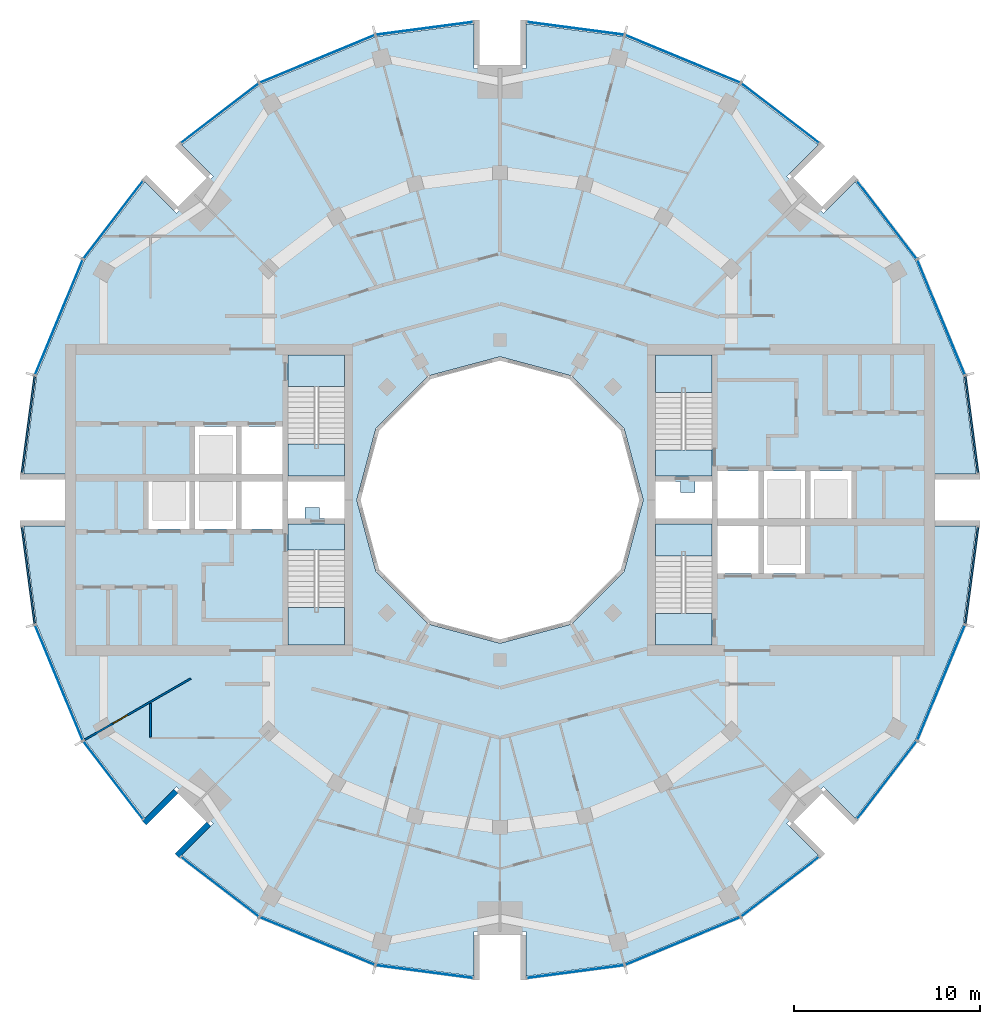
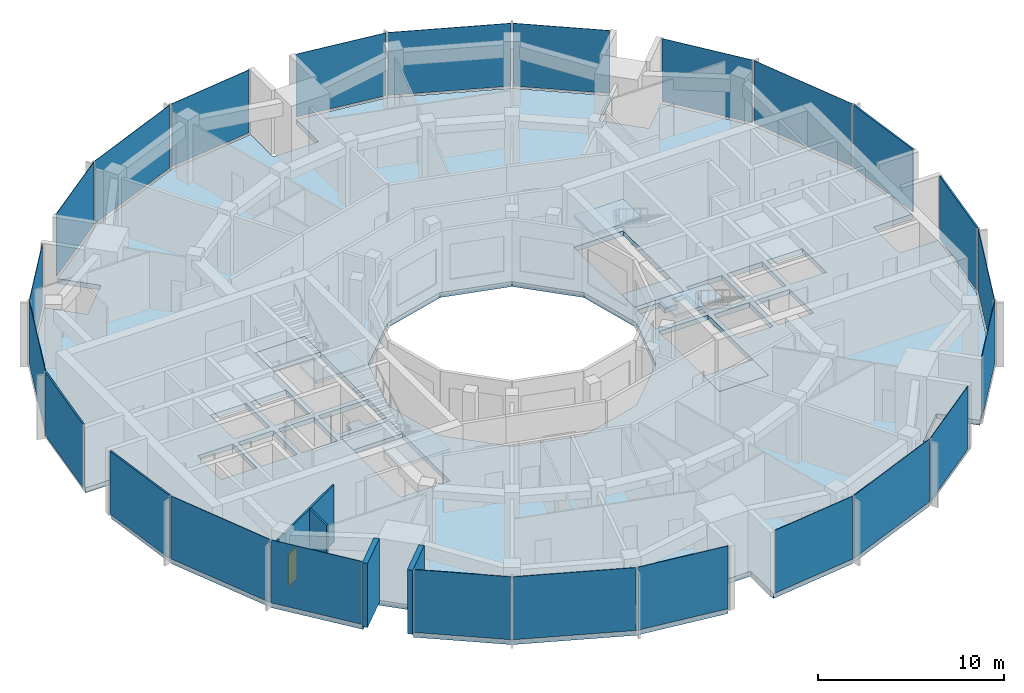
# One storey, part 7 of 15: 24 plates, 9 slabs, 4 walls, 1 door, 1 opening, 28 elements without a shape of their own.
"""IFC4 building model written with IfcOpenShell, lengths in metres."""

from ifc_helpers import new_model, si_unit, direction, frame, frame_2d, origin, origin_2d, place, context, subcontext, project, spatial, polyline, rectangle, outline, extrude, material, layer, layer_set, type_object, element, fill, aggregate, save


model = new_model("IFC4")

# Units and contexts
model_context = context("Model", 3, precision=1e-05, world=origin(), true_north=direction((0.0, 1.0)))
body_context = subcontext(model_context, "Body", "Model", "MODEL_VIEW")
ifc_project = project(units=[si_unit("LENGTHUNIT", "METRE"), si_unit("AREAUNIT", "SQUARE_METRE"), si_unit("VOLUMEUNIT", "CUBIC_METRE"), si_unit("PLANEANGLEUNIT", "RADIAN"), si_unit("MASSUNIT", "GRAM", prefix="KILO")], contexts=[model_context])

# Site, building, storey
site_placement = place(None, origin())
site = spatial("IfcSite", under=ifc_project, at=site_placement, CompositionType="ELEMENT")
building_placement = place(site_placement, origin())
building = spatial("IfcBuilding", under=site, at=building_placement, Name="Torre Brocal", CompositionType="ELEMENT")
storey_placement = place(building_placement, frame((0.0, 0.0, 216.699951171875)))
storey = spatial("IfcBuildingStorey", under=building, at=storey_placement, Name="L50", CompositionType="ELEMENT", Elevation=216.699951171875)

# Curtain wall, plate
ifc_material_1 = material(Name="Aluminium and glass", Category="aluminium")
ifc_layer_1 = layer(ifc_material_1, 0.199951171875)
ifc_layer_set_1 = layer_set([ifc_layer_1], Name="Aluminium and glass")
curtain_wall_type_1 = type_object("IfcCurtainWallType", Name="CW-1 CURTAIN WALL 4200 HIGH", PredefinedType="NOTDEFINED", material=ifc_layer_set_1)
curtain_wall_1_placement = place(storey_placement, origin())
curtain_wall_1 = element("IfcCurtainWall", 1, at=curtain_wall_1_placement, inside=storey, type_object=curtain_wall_type_1, Name="CW-1 RUN 2", PredefinedType="NOTDEFINED")
ifc_material_2 = material(Name="Glass, dark tinted laminated", Category="glass")
ifc_layer_2 = layer(ifc_material_2, 0.031982421875)
ifc_layer_set_2 = layer_set([ifc_layer_2], Name="Glass, dark tinted laminated")
plate_type_1 = type_object("IfcPlateType", Name="CW-1 GLASS PANEL 32", PredefinedType="CURTAIN_PANEL", material=ifc_layer_set_2)
plate_1_placement = place(storey_placement, frame((103.722900390625, 84.826416015625, 0.080078125), z_axis=(0.0, 0.0, 1.0), x_axis=(-0.382683432333, 0.923879532525, 0.0)))
plate_1 = element("IfcPlate", 2, at=plate_1_placement, type_object=plate_type_1, Name="CW1-5 panel 1.1", PredefinedType="CURTAIN_PANEL", context=body_context, shape_type="SweptSolid", body=[
    extrude(rectangle(XDim=6.64111328125, YDim=0.031982421875, at=origin_2d()), origin(), (0.0, 0.0, 1.0), 4.1201171875),
])
aggregate(curtain_wall_1, [plate_1])

curtain_wall_2_placement = place(storey_placement, origin())
curtain_wall_2 = element("IfcCurtainWall", 3, at=curtain_wall_2_placement, inside=storey, type_object=curtain_wall_type_1, Name="CW-1 RUN 3", PredefinedType="NOTDEFINED")
plate_2_placement = place(storey_placement, frame((100.80126953125, 90.0712890625, 0.080078125), z_axis=(0.0, 0.0, 1.0), x_axis=(-0.60876142905, 0.793353340259, 0.0)))
plate_2 = element("IfcPlate", 4, at=plate_2_placement, type_object=plate_type_1, Name="CW1-5 panel 1.1", PredefinedType="CURTAIN_PANEL", context=body_context, shape_type="SweptSolid", body=[
    extrude(rectangle(XDim=5.22900390625, YDim=0.031982421875, at=origin_2d()), origin(), (0.0, 0.0, 1.0), 4.1201171875),
])
aggregate(curtain_wall_2, [plate_2])

curtain_wall_3_placement = place(storey_placement, origin())
curtain_wall_3 = element("IfcCurtainWall", 5, at=curtain_wall_3_placement, inside=storey, type_object=curtain_wall_type_1, Name="CW-1 RUN 4", PredefinedType="NOTDEFINED")
plate_3_placement = place(storey_placement, frame((95.0712890625, 95.80126953125, 0.080078125), z_axis=(0.0, 0.0, 1.0), x_axis=(-0.793353340259, 0.60876142905, 0.0)))
plate_3 = element("IfcPlate", 6, at=plate_3_placement, type_object=plate_type_1, Name="CW1-5 panel 1.1", PredefinedType="CURTAIN_PANEL", context=body_context, shape_type="SweptSolid", body=[
    extrude(rectangle(XDim=5.22900390625, YDim=0.031982421875, at=origin_2d()), origin(), (0.0, 0.0, 1.0), 4.1201171875),
])
aggregate(curtain_wall_3, [plate_3])

curtain_wall_4_placement = place(storey_placement, origin())
curtain_wall_4 = element("IfcCurtainWall", 7, at=curtain_wall_4_placement, inside=storey, type_object=curtain_wall_type_1, Name="CW-1 RUN 5", PredefinedType="NOTDEFINED")
plate_4_placement = place(storey_placement, frame((89.826416015625, 98.722900390625, 0.080078125), z_axis=(0.0, 0.0, 1.0), x_axis=(-0.923879532525, 0.382683432333, 0.0)))
plate_4 = element("IfcPlate", 8, at=plate_4_placement, type_object=plate_type_1, Name="CW1-5 panel 1.1", PredefinedType="CURTAIN_PANEL", context=body_context, shape_type="SweptSolid", body=[
    extrude(rectangle(XDim=6.64111328125, YDim=0.031982421875, at=origin_2d()), origin(), (0.0, 0.0, 1.0), 4.1201171875),
])
aggregate(curtain_wall_4, [plate_4])

curtain_wall_5_placement = place(storey_placement, origin())
curtain_wall_5 = element("IfcCurtainWall", 9, at=curtain_wall_5_placement, inside=storey, type_object=curtain_wall_type_1, Name="CW-1 RUN 6", PredefinedType="NOTDEFINED")
plate_5_placement = place(storey_placement, frame((84.051513671875, 100.36572265625, 0.080078125), z_axis=(0.0, 0.0, 1.0), x_axis=(-0.991444861374, 0.13052619222, 0.0)))
plate_5 = element("IfcPlate", 10, at=plate_5_placement, type_object=plate_type_1, Name="CW1-5 panel 1.1", PredefinedType="CURTAIN_PANEL", context=body_context, shape_type="SweptSolid", body=[
    extrude(rectangle(XDim=5.22900390625, YDim=0.031982421875, at=origin_2d()), origin(), (0.0, 0.0, 1.0), 4.1201171875),
])
aggregate(curtain_wall_5, [plate_5])

curtain_wall_6_placement = place(storey_placement, origin())
curtain_wall_6 = element("IfcCurtainWall", 11, at=curtain_wall_6_placement, inside=storey, type_object=curtain_wall_type_1, Name="CW-1 RUN 7", PredefinedType="NOTDEFINED")
plate_6_placement = place(storey_placement, frame((75.948486328125, 100.36572265625, 0.080078125), z_axis=(0.0, 0.0, 1.0), x_axis=(-0.991444861374, -0.13052619222, 0.0)))
plate_6 = element("IfcPlate", 12, at=plate_6_placement, type_object=plate_type_1, Name="CW1-5 panel 1.1", PredefinedType="CURTAIN_PANEL", context=body_context, shape_type="SweptSolid", body=[
    extrude(rectangle(XDim=5.22900390625, YDim=0.031982421875, at=origin_2d()), origin(), (0.0, 0.0, 1.0), 4.1201171875),
])
aggregate(curtain_wall_6, [plate_6])

curtain_wall_7_placement = place(storey_placement, origin())
curtain_wall_7 = element("IfcCurtainWall", 13, at=curtain_wall_7_placement, inside=storey, type_object=curtain_wall_type_1, Name="CW-1 RUN 8", PredefinedType="NOTDEFINED")
plate_7_placement = place(storey_placement, frame((70.173583984375, 98.722900390625, 0.080078125), z_axis=(0.0, 0.0, 1.0), x_axis=(-0.923879532525, -0.382683432333, 0.0)))
plate_7 = element("IfcPlate", 14, at=plate_7_placement, type_object=plate_type_1, Name="CW1-5 panel 1.1", PredefinedType="CURTAIN_PANEL", context=body_context, shape_type="SweptSolid", body=[
    extrude(rectangle(XDim=6.64111328125, YDim=0.031982421875, at=origin_2d()), origin(), (0.0, 0.0, 1.0), 4.1201171875),
])
aggregate(curtain_wall_7, [plate_7])

curtain_wall_8_placement = place(storey_placement, origin())
curtain_wall_8 = element("IfcCurtainWall", 15, at=curtain_wall_8_placement, inside=storey, type_object=curtain_wall_type_1, Name="CW-1 RUN 9", PredefinedType="NOTDEFINED")
plate_8_placement = place(storey_placement, frame((64.9287109375, 95.80126953125, 0.080078125), z_axis=(0.0, 0.0, 1.0), x_axis=(-0.793353340259, -0.60876142905, 0.0)))
plate_8 = element("IfcPlate", 16, at=plate_8_placement, type_object=plate_type_1, Name="CW1-5 panel 1.1", PredefinedType="CURTAIN_PANEL", context=body_context, shape_type="SweptSolid", body=[
    extrude(rectangle(XDim=5.22900390625, YDim=0.031982421875, at=origin_2d()), origin(), (0.0, 0.0, 1.0), 4.1201171875),
])
aggregate(curtain_wall_8, [plate_8])

curtain_wall_9_placement = place(storey_placement, origin())
curtain_wall_9 = element("IfcCurtainWall", 17, at=curtain_wall_9_placement, inside=storey, type_object=curtain_wall_type_1, Name="CW-1 RUN 10", PredefinedType="NOTDEFINED")
plate_9_placement = place(storey_placement, frame((59.19873046875, 90.0712890625, 0.080078125), z_axis=(0.0, 0.0, 1.0), x_axis=(-0.60876142905, -0.793353340259, 0.0)))
plate_9 = element("IfcPlate", 18, at=plate_9_placement, type_object=plate_type_1, Name="CW1-5 panel 1.1", PredefinedType="CURTAIN_PANEL", context=body_context, shape_type="SweptSolid", body=[
    extrude(rectangle(XDim=5.22900390625, YDim=0.031982421875, at=origin_2d()), origin(), (0.0, 0.0, 1.0), 4.1201171875),
])
aggregate(curtain_wall_9, [plate_9])

curtain_wall_10_placement = place(storey_placement, origin())
curtain_wall_10 = element("IfcCurtainWall", 19, at=curtain_wall_10_placement, inside=storey, type_object=curtain_wall_type_1, Name="CW-1 RUN 11", PredefinedType="NOTDEFINED")
plate_10_placement = place(storey_placement, frame((56.277099609375, 84.826416015625, 0.080078125), z_axis=(0.0, 0.0, 1.0), x_axis=(-0.382683432333, -0.923879532525, 0.0)))
plate_10 = element("IfcPlate", 20, at=plate_10_placement, type_object=plate_type_1, Name="CW1-5 panel 1.1", PredefinedType="CURTAIN_PANEL", context=body_context, shape_type="SweptSolid", body=[
    extrude(rectangle(XDim=6.64111328125, YDim=0.031982421875, at=origin_2d()), origin(), (0.0, 0.0, 1.0), 4.1201171875),
])
aggregate(curtain_wall_10, [plate_10])

curtain_wall_11_placement = place(storey_placement, origin())
curtain_wall_11 = element("IfcCurtainWall", 21, at=curtain_wall_11_placement, inside=storey, type_object=curtain_wall_type_1, Name="CW-1 RUN 14", PredefinedType="NOTDEFINED")
plate_11_placement = place(storey_placement, frame((56.277099609375, 65.173583984375, 0.080078125), z_axis=(0.0, 0.0, 1.0), x_axis=(0.382683432333, -0.923879532525, 0.0)))
plate_11 = element("IfcPlate", 22, at=plate_11_placement, type_object=plate_type_1, Name="CW1-5 panel 1.1", PredefinedType="CURTAIN_PANEL", context=body_context, shape_type="SweptSolid", body=[
    extrude(rectangle(XDim=6.64111328125, YDim=0.031982421875, at=origin_2d()), origin(), (0.0, 0.0, 1.0), 4.1201171875),
])
aggregate(curtain_wall_11, [plate_11])

curtain_wall_12_placement = place(storey_placement, origin())
curtain_wall_12 = element("IfcCurtainWall", 23, at=curtain_wall_12_placement, inside=storey, type_object=curtain_wall_type_1, Name="CW-1 RUN 15", PredefinedType="NOTDEFINED")
plate_12_placement = place(storey_placement, frame((59.19873046875, 59.9287109375, 0.080078125), z_axis=(0.0, 0.0, 1.0), x_axis=(0.60876142905, -0.793353340259, 0.0)))
plate_12 = element("IfcPlate", 24, at=plate_12_placement, type_object=plate_type_1, Name="CW1-5 panel 1.1", PredefinedType="CURTAIN_PANEL", context=body_context, shape_type="SweptSolid", body=[
    extrude(rectangle(XDim=5.22900390625, YDim=0.031982421875, at=origin_2d()), origin(), (0.0, 0.0, 1.0), 4.1201171875),
])
aggregate(curtain_wall_12, [plate_12])

curtain_wall_13_placement = place(storey_placement, origin())
curtain_wall_13 = element("IfcCurtainWall", 25, at=curtain_wall_13_placement, inside=storey, type_object=curtain_wall_type_1, Name="CW-1 RUN 16", PredefinedType="NOTDEFINED")
plate_13_placement = place(storey_placement, frame((64.9287109375, 54.19873046875, 0.080078125), z_axis=(0.0, 0.0, 1.0), x_axis=(0.793353340259, -0.60876142905, 0.0)))
plate_13 = element("IfcPlate", 26, at=plate_13_placement, type_object=plate_type_1, Name="CW1-5 panel 1.1", PredefinedType="CURTAIN_PANEL", context=body_context, shape_type="SweptSolid", body=[
    extrude(rectangle(XDim=5.22900390625, YDim=0.031982421875, at=origin_2d()), origin(), (0.0, 0.0, 1.0), 4.1201171875),
])
aggregate(curtain_wall_13, [plate_13])

curtain_wall_14_placement = place(storey_placement, origin())
curtain_wall_14 = element("IfcCurtainWall", 27, at=curtain_wall_14_placement, inside=storey, type_object=curtain_wall_type_1, Name="CW-1 RUN 17", PredefinedType="NOTDEFINED")
plate_14_placement = place(storey_placement, frame((70.173583984375, 51.277099609375, 0.080078125), z_axis=(0.0, 0.0, 1.0), x_axis=(0.923879532525, -0.382683432333, 0.0)))
plate_14 = element("IfcPlate", 28, at=plate_14_placement, type_object=plate_type_1, Name="CW1-5 panel 1.1", PredefinedType="CURTAIN_PANEL", context=body_context, shape_type="SweptSolid", body=[
    extrude(rectangle(XDim=6.64111328125, YDim=0.031982421875, at=origin_2d()), origin(), (0.0, 0.0, 1.0), 4.1201171875),
])
aggregate(curtain_wall_14, [plate_14])

curtain_wall_15_placement = place(storey_placement, origin())
curtain_wall_15 = element("IfcCurtainWall", 29, at=curtain_wall_15_placement, inside=storey, type_object=curtain_wall_type_1, Name="CW-1 RUN 18", PredefinedType="NOTDEFINED")
plate_15_placement = place(storey_placement, frame((75.948486328125, 49.63427734375, 0.080078125), z_axis=(0.0, 0.0, 1.0), x_axis=(0.991444861374, -0.13052619222, 0.0)))
plate_15 = element("IfcPlate", 30, at=plate_15_placement, type_object=plate_type_1, Name="CW1-5 panel 1.1", PredefinedType="CURTAIN_PANEL", context=body_context, shape_type="SweptSolid", body=[
    extrude(rectangle(XDim=5.22900390625, YDim=0.031982421875, at=origin_2d()), origin(), (0.0, 0.0, 1.0), 4.1201171875),
])
aggregate(curtain_wall_15, [plate_15])

curtain_wall_16_placement = place(storey_placement, origin())
curtain_wall_16 = element("IfcCurtainWall", 31, at=curtain_wall_16_placement, inside=storey, type_object=curtain_wall_type_1, Name="CW-1 RUN 19", PredefinedType="NOTDEFINED")
plate_16_placement = place(storey_placement, frame((84.051513671875, 49.63427734375, 0.080078125), z_axis=(0.0, 0.0, 1.0), x_axis=(0.991444861374, 0.13052619222, 0.0)))
plate_16 = element("IfcPlate", 32, at=plate_16_placement, type_object=plate_type_1, Name="CW1-5 panel 1.1", PredefinedType="CURTAIN_PANEL", context=body_context, shape_type="SweptSolid", body=[
    extrude(rectangle(XDim=5.22900390625, YDim=0.031982421875, at=origin_2d()), origin(), (0.0, 0.0, 1.0), 4.1201171875),
])
aggregate(curtain_wall_16, [plate_16])

curtain_wall_17_placement = place(storey_placement, origin())
curtain_wall_17 = element("IfcCurtainWall", 33, at=curtain_wall_17_placement, inside=storey, type_object=curtain_wall_type_1, Name="CW-1 RUN 20", PredefinedType="NOTDEFINED")
plate_17_placement = place(storey_placement, frame((89.826416015625, 51.277099609375, 0.080078125), z_axis=(0.0, 0.0, 1.0), x_axis=(0.923879532525, 0.382683432333, 0.0)))
plate_17 = element("IfcPlate", 34, at=plate_17_placement, type_object=plate_type_1, Name="CW1-5 panel 1.1", PredefinedType="CURTAIN_PANEL", context=body_context, shape_type="SweptSolid", body=[
    extrude(rectangle(XDim=6.64111328125, YDim=0.031982421875, at=origin_2d()), origin(), (0.0, 0.0, 1.0), 4.1201171875),
])
aggregate(curtain_wall_17, [plate_17])

curtain_wall_18_placement = place(storey_placement, origin())
curtain_wall_18 = element("IfcCurtainWall", 35, at=curtain_wall_18_placement, inside=storey, type_object=curtain_wall_type_1, Name="CW-1 RUN 21", PredefinedType="NOTDEFINED")
plate_18_placement = place(storey_placement, frame((95.0712890625, 54.19873046875, 0.080078125), z_axis=(0.0, 0.0, 1.0), x_axis=(0.793353340259, 0.60876142905, 0.0)))
plate_18 = element("IfcPlate", 36, at=plate_18_placement, type_object=plate_type_1, Name="CW1-5 panel 1.1", PredefinedType="CURTAIN_PANEL", context=body_context, shape_type="SweptSolid", body=[
    extrude(rectangle(XDim=5.22900390625, YDim=0.031982421875, at=origin_2d()), origin(), (0.0, 0.0, 1.0), 4.1201171875),
])
aggregate(curtain_wall_18, [plate_18])

curtain_wall_19_placement = place(storey_placement, origin())
curtain_wall_19 = element("IfcCurtainWall", 37, at=curtain_wall_19_placement, inside=storey, type_object=curtain_wall_type_1, Name="CW-1 RUN 22", PredefinedType="NOTDEFINED")
plate_19_placement = place(storey_placement, frame((100.80126953125, 59.9287109375, 0.080078125), z_axis=(0.0, 0.0, 1.0), x_axis=(0.60876142905, 0.793353340259, 0.0)))
plate_19 = element("IfcPlate", 38, at=plate_19_placement, type_object=plate_type_1, Name="CW1-5 panel 1.1", PredefinedType="CURTAIN_PANEL", context=body_context, shape_type="SweptSolid", body=[
    extrude(rectangle(XDim=5.22900390625, YDim=0.031982421875, at=origin_2d()), origin(), (0.0, 0.0, 1.0), 4.1201171875),
])
aggregate(curtain_wall_19, [plate_19])

curtain_wall_20_placement = place(storey_placement, origin())
curtain_wall_20 = element("IfcCurtainWall", 39, at=curtain_wall_20_placement, inside=storey, type_object=curtain_wall_type_1, Name="CW-1 RUN 23", PredefinedType="NOTDEFINED")
plate_20_placement = place(storey_placement, frame((103.722900390625, 65.173583984375, 0.080078125), z_axis=(0.0, 0.0, 1.0), x_axis=(0.382683432333, 0.923879532525, 0.0)))
plate_20 = element("IfcPlate", 40, at=plate_20_placement, type_object=plate_type_1, Name="CW1-5 panel 1.1", PredefinedType="CURTAIN_PANEL", context=body_context, shape_type="SweptSolid", body=[
    extrude(rectangle(XDim=6.64111328125, YDim=0.031982421875, at=origin_2d()), origin(), (0.0, 0.0, 1.0), 4.1201171875),
])
aggregate(curtain_wall_20, [plate_20])

ifc_material_3 = material(Name="Aluminium and glass", Category="aluminium")
ifc_layer_3 = layer(ifc_material_3, 0.199951171875)
ifc_layer_set_3 = layer_set([ifc_layer_3], Name="Aluminium and glass")
curtain_wall_type_2 = type_object("IfcCurtainWallType", Name="CW-1B CURTAIN WALL 4200 HIGH", PredefinedType="NOTDEFINED", material=ifc_layer_set_3)
curtain_wall_21_placement = place(storey_placement, origin())
curtain_wall_21 = element("IfcCurtainWall", 41, at=curtain_wall_21_placement, inside=storey, type_object=curtain_wall_type_2, Name="CW-1B RUN 1", PredefinedType="NOTDEFINED")
ifc_material_4 = material(Name="Aluminium composite panel", Category="aluminium")
ifc_layer_4 = layer(ifc_material_4, 0.10009765625)
ifc_layer_set_4 = layer_set([ifc_layer_4], Name="Aluminium composite panel")
plate_type_2 = type_object("IfcPlateType", Name="CW-1B OPAQUE PANEL 100", PredefinedType="CURTAIN_PANEL", material=ifc_layer_set_4)
plate_21_placement = place(storey_placement, frame((105.36572265625, 79.051513671875, 0.080078125), z_axis=(0.0, 0.0, 1.0), x_axis=(-0.13052619222, 0.991444861374, 0.0)))
plate_21 = element("IfcPlate", 42, at=plate_21_placement, type_object=plate_type_2, Name="CW1B-5 panel 1.1", PredefinedType="CURTAIN_PANEL", context=body_context, shape_type="SweptSolid", body=[
    extrude(rectangle(XDim=5.22900390625, YDim=0.10009765625, at=origin_2d()), origin(), (0.0, 0.0, 1.0), 4.1201171875),
])
aggregate(curtain_wall_21, [plate_21])

curtain_wall_22_placement = place(storey_placement, origin())
curtain_wall_22 = element("IfcCurtainWall", 43, at=curtain_wall_22_placement, inside=storey, type_object=curtain_wall_type_2, Name="CW-1B RUN 12", PredefinedType="NOTDEFINED")
plate_22_placement = place(storey_placement, frame((54.63427734375, 79.051513671875, 0.080078125), z_axis=(0.0, 0.0, 1.0), x_axis=(-0.13052619222, -0.991444861374, 0.0)))
plate_22 = element("IfcPlate", 44, at=plate_22_placement, type_object=plate_type_2, Name="CW1B-5 panel 1.1", PredefinedType="CURTAIN_PANEL", context=body_context, shape_type="SweptSolid", body=[
    extrude(rectangle(XDim=5.22900390625, YDim=0.10009765625, at=origin_2d()), origin(), (0.0, 0.0, 1.0), 4.1201171875),
])
aggregate(curtain_wall_22, [plate_22])

curtain_wall_23_placement = place(storey_placement, origin())
curtain_wall_23 = element("IfcCurtainWall", 45, at=curtain_wall_23_placement, inside=storey, type_object=curtain_wall_type_2, Name="CW-1B RUN 13", PredefinedType="NOTDEFINED")
plate_23_placement = place(storey_placement, frame((54.63427734375, 70.948486328125, 0.080078125), z_axis=(0.0, 0.0, 1.0), x_axis=(0.13052619222, -0.991444861374, 0.0)))
plate_23 = element("IfcPlate", 46, at=plate_23_placement, type_object=plate_type_2, Name="CW1B-5 panel 1.1", PredefinedType="CURTAIN_PANEL", context=body_context, shape_type="SweptSolid", body=[
    extrude(rectangle(XDim=5.22900390625, YDim=0.10009765625, at=origin_2d()), origin(), (0.0, 0.0, 1.0), 4.1201171875),
])
aggregate(curtain_wall_23, [plate_23])

curtain_wall_24_placement = place(storey_placement, origin())
curtain_wall_24 = element("IfcCurtainWall", 47, at=curtain_wall_24_placement, inside=storey, type_object=curtain_wall_type_2, Name="CW-1B RUN 24", PredefinedType="NOTDEFINED")
plate_24_placement = place(storey_placement, frame((105.36572265625, 70.948486328125, 0.080078125), z_axis=(0.0, 0.0, 1.0), x_axis=(0.13052619222, 0.991444861374, 0.0)))
plate_24 = element("IfcPlate", 48, at=plate_24_placement, type_object=plate_type_2, Name="CW1B-5 panel 1.1", PredefinedType="CURTAIN_PANEL", context=body_context, shape_type="SweptSolid", body=[
    extrude(rectangle(XDim=5.22900390625, YDim=0.10009765625, at=origin_2d()), origin(), (0.0, 0.0, 1.0), 4.1201171875),
])
aggregate(curtain_wall_24, [plate_24])

# Stair, slab
ifc_material_5 = material(Name="Concrete C50", Category="concrete")
stair_type = type_object("IfcStairType", Name="EXIT STAIR", PredefinedType="HALF_TURN_STAIR", material=ifc_material_5)
stair_1_placement = place(storey_placement, origin())
stair_1 = element("IfcStair", 49, at=stair_1_placement, inside=storey, type_object=stair_type, Name="EXIT STAIR ST1", PredefinedType="HALF_TURN_STAIR")
ifc_material_6 = material(Name="Concrete C50", Category="concrete")
ifc_layer_5 = layer(ifc_material_6, 0.320068359375)
ifc_layer_set_5 = layer_set([ifc_layer_5], Name="Concrete C50")
slab_type_1 = type_object("IfcSlabType", Name="FLOOR LANDING 320", PredefinedType="LANDING", material=ifc_layer_set_5)
slab_1_placement = place(storey_placement, frame((0.0, 0.0, -0.320068359375)))
slab_1 = element("IfcSlab", 50, at=slab_1_placement, type_object=slab_type_1, Name="ST1 landing 1", PredefinedType="LANDING", context=body_context, shape_type="SweptSolid", body=[
    extrude(outline(polyline([(88.35009765625, 76.300048828125), (91.39990234375, 76.300048828125), (91.39990234375, 77.699951171875), (88.35009765625, 77.699951171875), (88.35009765625, 76.300048828125)])), origin(), (0.0, 0.0, 1.0), 0.320068359375),
])

stair_2_placement = place(storey_placement, origin())
stair_2 = element("IfcStair", 51, at=stair_2_placement, inside=storey, type_object=stair_type, Name="EXIT STAIR ST2", PredefinedType="HALF_TURN_STAIR")
slab_2_placement = place(storey_placement, frame((0.0, 0.0, -0.320068359375)))
slab_2 = element("IfcSlab", 52, at=slab_2_placement, type_object=slab_type_1, Name="ST2 landing 1", PredefinedType="LANDING", context=body_context, shape_type="SweptSolid", body=[
    extrude(outline(polyline([(88.35009765625, 67.199951171875), (91.39990234375, 67.199951171875), (91.39990234375, 68.89990234375), (88.35009765625, 68.89990234375), (88.35009765625, 67.199951171875)])), origin(), (0.0, 0.0, 1.0), 0.320068359375),
])

stair_3_placement = place(storey_placement, origin())
stair_3 = element("IfcStair", 53, at=stair_3_placement, inside=storey, type_object=stair_type, Name="EXIT STAIR ST3", PredefinedType="HALF_TURN_STAIR")
slab_3_placement = place(storey_placement, frame((0.0, 0.0, -0.320068359375)))
slab_3 = element("IfcSlab", 54, at=slab_3_placement, type_object=slab_type_1, Name="ST3 landing 1", PredefinedType="LANDING", context=body_context, shape_type="SweptSolid", body=[
    extrude(outline(polyline([(71.64990234375, 73.699951171875), (68.60009765625, 73.699951171875), (68.60009765625, 72.300048828125), (71.64990234375, 72.300048828125), (71.64990234375, 73.699951171875)])), origin(), (0.0, 0.0, 1.0), 0.320068359375),
])

stair_4_placement = place(storey_placement, origin())
stair_4 = element("IfcStair", 55, at=stair_4_placement, inside=storey, type_object=stair_type, Name="EXIT STAIR ST4", PredefinedType="HALF_TURN_STAIR")
slab_4_placement = place(storey_placement, frame((0.0, 0.0, -0.320068359375)))
slab_4 = element("IfcSlab", 56, at=slab_4_placement, type_object=slab_type_1, Name="ST4 landing 1", PredefinedType="LANDING", context=body_context, shape_type="SweptSolid", body=[
    extrude(outline(polyline([(71.64990234375, 82.800048828125), (68.60009765625, 82.800048828125), (68.60009765625, 81.10009765625), (71.64990234375, 81.10009765625), (71.64990234375, 82.800048828125)])), origin(), (0.0, 0.0, 1.0), 0.320068359375),
])

# Slab
ifc_material_7 = material(Name="Concrete C50", Category="concrete")
ifc_layer_6 = layer(ifc_material_7, 0.199951171875)
ifc_layer_set_6 = layer_set([ifc_layer_6], Name="Concrete C50")
slab_type_2 = type_object("IfcSlabType", Name="MID LANDING +2100", PredefinedType="LANDING", material=ifc_layer_set_6)
slab_5_placement = place(storey_placement, frame((0.0, 0.0, 1.900146484375)))
slab_5 = element("IfcSlab", 57, at=slab_5_placement, type_object=slab_type_2, Name="ST1 landing 2", PredefinedType="LANDING", context=body_context, shape_type="SweptSolid", body=[
    extrude(outline(polyline([(88.35009765625, 80.780029296875), (91.39990234375, 80.780029296875), (91.39990234375, 82.800048828125), (88.35009765625, 82.800048828125), (88.35009765625, 80.780029296875)])), origin(), (0.0, 0.0, 1.0), 0.199951171875),
])

aggregate(stair_1, [slab_1, slab_5])

slab_6_placement = place(storey_placement, frame((0.0, 0.0, 1.900146484375)))
slab_6 = element("IfcSlab", 58, at=slab_6_placement, type_object=slab_type_2, Name="ST2 landing 2", PredefinedType="LANDING", context=body_context, shape_type="SweptSolid", body=[
    extrude(outline(polyline([(88.35009765625, 71.97998046875), (91.39990234375, 71.97998046875), (91.39990234375, 73.699951171875), (88.35009765625, 73.699951171875), (88.35009765625, 71.97998046875)])), origin(), (0.0, 0.0, 1.0), 0.199951171875),
])

aggregate(stair_2, [slab_2, slab_6])

slab_7_placement = place(storey_placement, frame((0.0, 0.0, 1.900146484375)))
slab_7 = element("IfcSlab", 59, at=slab_7_placement, type_object=slab_type_2, Name="ST3 landing 2", PredefinedType="LANDING", context=body_context, shape_type="SweptSolid", body=[
    extrude(outline(polyline([(71.64990234375, 69.219970703125), (68.60009765625, 69.219970703125), (68.60009765625, 67.199951171875), (71.64990234375, 67.199951171875), (71.64990234375, 69.219970703125)])), origin(), (0.0, 0.0, 1.0), 0.199951171875),
])

aggregate(stair_3, [slab_3, slab_7])

slab_8_placement = place(storey_placement, frame((0.0, 0.0, 1.900146484375)))
slab_8 = element("IfcSlab", 60, at=slab_8_placement, type_object=slab_type_2, Name="ST4 landing 2", PredefinedType="LANDING", context=body_context, shape_type="SweptSolid", body=[
    extrude(outline(polyline([(71.64990234375, 78.02001953125), (68.60009765625, 78.02001953125), (68.60009765625, 76.300048828125), (71.64990234375, 76.300048828125), (71.64990234375, 78.02001953125)])), origin(), (0.0, 0.0, 1.0), 0.199951171875),
])

aggregate(stair_4, [slab_4, slab_8])

ifc_material_8 = material(Name="Concrete C45", Category="concrete")
ifc_layer_7 = layer(ifc_material_8, 0.320068359375)
ifc_layer_set_7 = layer_set([ifc_layer_7], Name="Concrete C45")
slab_type_3 = type_object("IfcSlabType", Name="PT FLOOR SLAB 320 C45", PredefinedType="FLOOR", material=ifc_layer_set_7)
slab_9_placement = place(storey_placement, frame((0.0, 0.0, -0.320068359375)))
element("IfcSlab", 61, at=slab_9_placement, inside=storey, type_object=slab_type_3, Name="Slab ST-05", PredefinedType="FLOOR", context=body_context, shape_type="SweptSolid", body=[
    extrude(outline(polyline([(103.199951171875, 76.39990234375), (103.199951171875, 73.60009765625), (105.614013671875, 73.60009765625), (104.919189453125, 68.322998046875), (102.342041015625, 62.100830078125), (99.101806640625, 57.878173828125), (97.394775390625, 59.5849609375), (95.4150390625, 57.605224609375), (97.121826171875, 55.898193359375), (92.899169921875, 52.657958984375), (86.677001953125, 50.080810546875), (81.39990234375, 49.385986328125), (81.39990234375, 51.800048828125), (78.60009765625, 51.800048828125), (78.60009765625, 49.385986328125), (73.322998046875, 50.080810546875), (67.100830078125, 52.657958984375), (62.878173828125, 55.898193359375), (64.5849609375, 57.605224609375), (62.605224609375, 59.5849609375), (60.898193359375, 57.878173828125), (57.657958984375, 62.100830078125), (55.080810546875, 68.322998046875), (54.385986328125, 73.60009765625), (56.800048828125, 73.60009765625), (56.800048828125, 76.39990234375), (54.385986328125, 76.39990234375), (55.080810546875, 81.677001953125), (57.657958984375, 87.899169921875), (60.898193359375, 92.121826171875), (62.605224609375, 90.4150390625), (64.5849609375, 92.394775390625), (62.878173828125, 94.101806640625), (67.100830078125, 97.342041015625), (73.322998046875, 99.919189453125), (78.60009765625, 100.614013671875), (78.60009765625, 98.199951171875), (81.39990234375, 98.199951171875), (81.39990234375, 100.614013671875), (86.677001953125, 99.919189453125), (92.899169921875, 97.342041015625), (97.121826171875, 94.101806640625), (95.4150390625, 92.394775390625), (97.394775390625, 90.4150390625), (99.101806640625, 92.121826171875), (102.342041015625, 87.899169921875), (104.919189453125, 81.677001953125), (105.614013671875, 76.39990234375), (103.199951171875, 76.39990234375)]), holes=[polyline([(98.89990234375, 76.550048828125), (96.699951171875, 76.550048828125), (96.699951171875, 74.0), (98.89990234375, 74.0), (98.89990234375, 76.550048828125)]), polyline([(96.39990234375, 76.550048828125), (94.199951171875, 76.550048828125), (94.199951171875, 74.0), (96.39990234375, 74.0), (96.39990234375, 76.550048828125)]), polyline([(96.39990234375, 73.60009765625), (94.199951171875, 73.60009765625), (94.199951171875, 71.050048828125), (96.39990234375, 71.050048828125), (96.39990234375, 73.60009765625)]), polyline([(93.89990234375, 76.550048828125), (91.699951171875, 76.550048828125), (91.699951171875, 74.0), (93.89990234375, 74.0), (93.89990234375, 76.550048828125)]), polyline([(93.89990234375, 73.60009765625), (91.699951171875, 73.60009765625), (91.699951171875, 71.050048828125), (93.89990234375, 71.050048828125), (93.89990234375, 73.60009765625)]), polyline([(89.699951171875, 76.0), (88.35009765625, 76.0), (88.35009765625, 74.0), (91.39990234375, 74.0), (91.39990234375, 76.0), (90.5, 76.0), (90.5, 75.39990234375), (89.699951171875, 75.39990234375), (89.699951171875, 76.0)]), polyline([(91.39990234375, 82.800048828125), (88.35009765625, 82.800048828125), (88.35009765625, 76.300048828125), (91.39990234375, 76.300048828125), (91.39990234375, 82.800048828125)]), polyline([(91.39990234375, 73.699951171875), (88.35009765625, 73.699951171875), (88.35009765625, 67.199951171875), (91.39990234375, 67.199951171875), (91.39990234375, 73.699951171875)]), polyline([(80.0, 82.70703125), (76.146484375, 81.674560546875), (73.325439453125, 78.853515625), (72.29296875, 75.0), (73.325439453125, 71.146484375), (76.146484375, 68.325439453125), (80.0, 67.29296875), (83.853515625, 68.325439453125), (86.674560546875, 71.146484375), (87.70703125, 75.0), (86.674560546875, 78.853515625), (83.853515625, 81.674560546875), (80.0, 82.70703125)]), polyline([(70.300048828125, 74.0), (71.64990234375, 74.0), (71.64990234375, 76.0), (68.60009765625, 76.0), (68.60009765625, 74.0), (69.5, 74.0), (69.5, 74.60009765625), (70.300048828125, 74.60009765625), (70.300048828125, 74.0)]), polyline([(68.60009765625, 76.300048828125), (71.64990234375, 76.300048828125), (71.64990234375, 82.800048828125), (68.60009765625, 82.800048828125), (68.60009765625, 76.300048828125)]), polyline([(68.60009765625, 67.199951171875), (71.64990234375, 67.199951171875), (71.64990234375, 73.699951171875), (68.60009765625, 73.699951171875), (68.60009765625, 67.199951171875)]), polyline([(66.10009765625, 76.39990234375), (68.300048828125, 76.39990234375), (68.300048828125, 78.949951171875), (66.10009765625, 78.949951171875), (66.10009765625, 76.39990234375)]), polyline([(66.10009765625, 73.449951171875), (68.300048828125, 73.449951171875), (68.300048828125, 76.0), (66.10009765625, 76.0), (66.10009765625, 73.449951171875)]), polyline([(63.60009765625, 76.39990234375), (65.800048828125, 76.39990234375), (65.800048828125, 78.949951171875), (63.60009765625, 78.949951171875), (63.60009765625, 76.39990234375)]), polyline([(63.60009765625, 73.449951171875), (65.800048828125, 73.449951171875), (65.800048828125, 76.0), (63.60009765625, 76.0), (63.60009765625, 73.449951171875)]), polyline([(61.10009765625, 73.449951171875), (63.300048828125, 73.449951171875), (63.300048828125, 76.0), (61.10009765625, 76.0), (61.10009765625, 73.449951171875)])]), origin(), (0.0, 0.0, 1.0), 0.320068359375),
])

# Walls
ifc_material_9 = material(Name="Concrete C60", Category="concrete")
ifc_layer_8 = layer(ifc_material_9, 0.300048828125)
ifc_layer_set_8 = layer_set([ifc_layer_8], Name="Concrete C60")
wall_type_1 = type_object("IfcWallType", Name="NOTCH RETURN WALL 300 C60", PredefinedType="NOTDEFINED", material=ifc_layer_set_8)
for number, where, z_axis, x_axis, name in (
    (62, (62.56982421875, 59.337646484375, 0.0), (0.0, 0.0, 1.0), (-0.707106781187, -0.707106781187, 0.0), "NOTCH RETURN WALL"),
    (63, (64.337646484375, 57.56982421875, 0.0), (0.0, 0.0, 1.0), (-0.707106781187, -0.707106781187, 0.0), "NOTCH RETURN WALL"),
):
    element("IfcWall", number, at=place(storey_placement, frame(where, z_axis=z_axis, x_axis=x_axis)), inside=storey, type_object=wall_type_1, Name=name, PredefinedType="NOTDEFINED", context=body_context, shape_type="SweptSolid", body=[
        extrude(rectangle(XDim=2.415771484375, YDim=0.300048828125, at=frame_2d((1.2080078125, 0.0))), origin(), (0.0, 0.0, 1.0), 4.199951171875),
    ])

# Wall, opening, door
ifc_material_10 = material(Name="Gypsum board", Category="Gypsum")
ifc_layer_9 = layer(ifc_material_10, 0.10009765625)
ifc_layer_set_9 = layer_set([ifc_layer_9], Name="Gypsum board")
wall_type_2 = type_object("IfcWallType", Name="PARTITION 100", PredefinedType="PARTITIONING", material=ifc_layer_set_9)
wall_1_placement = place(storey_placement, frame((57.658447265625, 62.1015625, 0.0), z_axis=(0.0, 0.0, 1.0), x_axis=(0.866131372301, 0.499816412211, 0.0)))
wall_1 = element("IfcWall", 64, at=wall_1_placement, inside=storey, type_object=wall_type_2, Name="BATHROOM WALL", PredefinedType="PARTITIONING", context=body_context, shape_type="SweptSolid", body=[
    extrude(rectangle(XDim=6.59814453125, YDim=0.10009765625, at=frame_2d((3.299072265625, 0.0))), origin(), (0.0, 0.0, 1.0), 3.75),
])
opening_placement = place(wall_1_placement, frame((1.769775390625, 0.0, 0.0)))
opening = element("IfcOpeningElement", 65, at=opening_placement, cuts=wall_1, Name="Opening B01-D36", PredefinedType="OPENING", context=body_context, shape_type="SweptSolid", body=[
    extrude(rectangle(XDim=0.89990234375, YDim=2.10009765625, at=frame_2d((0.449951171875, 1.050048828125))), frame((0.0, 0.06005859375, 0.0), z_axis=(0.0, -1.0, 0.0), x_axis=(1.0, 0.0, 0.0)), (0.0, 0.0, 1.0), 0.1201171875),
])
ifc_material_11 = material(Name="Timber", Category="wood")
door_type = type_object("IfcDoorType", Name="ROOM DOOR 900X2100", OperationType="SINGLE_SWING_LEFT", PredefinedType="DOOR", material=ifc_material_11)
door_placement = place(opening_placement, frame((0.89990234375, 0.0, 0.0), z_axis=(0.0, 0.0, 1.0), x_axis=(-1.0, 0.0, 0.0)))
door = element("IfcDoor", 66, at=door_placement, inside=storey, type_object=door_type, Name="B01-D36", OperationType="SINGLE_SWING_LEFT", OverallHeight=2.10009765625, OverallWidth=0.89990234375, PredefinedType="DOOR", context=body_context, shape_type="SweptSolid", body=[
    extrude(rectangle(XDim=0.89990234375, YDim=2.10009765625, at=frame_2d((0.449951171875, 1.050048828125))), frame((0.0, 0.02490234375, 0.0), z_axis=(0.0, -1.0, 0.0), x_axis=(1.0, 0.0, 0.0)), (0.0, 0.0, 1.0), 0.050048828125),
])
fill(opening, door)

# Wall
wall_2_placement = place(storey_placement, frame((61.199951171875, 62.25, 0.0), z_axis=(0.0, 0.0, 1.0), x_axis=(0.0, 1.0, 0.0)))
element("IfcWall", 67, at=wall_2_placement, inside=storey, type_object=wall_type_2, Name="BATHROOM WALL", PredefinedType="PARTITIONING", context=body_context, shape_type="SweptSolid", body=[
    extrude(rectangle(XDim=1.815673828125, YDim=0.10009765625, at=frame_2d((0.90771484375, 0.0))), origin(), (0.0, 0.0, 1.0), 3.75),
])

save(model, "model.ifc")
